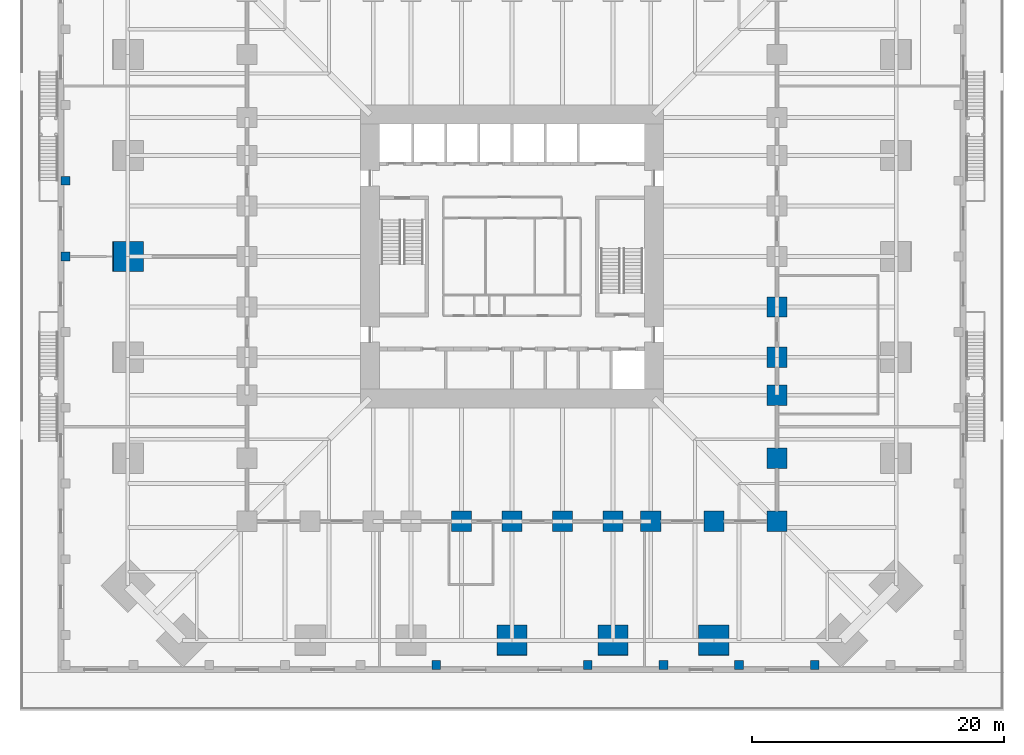
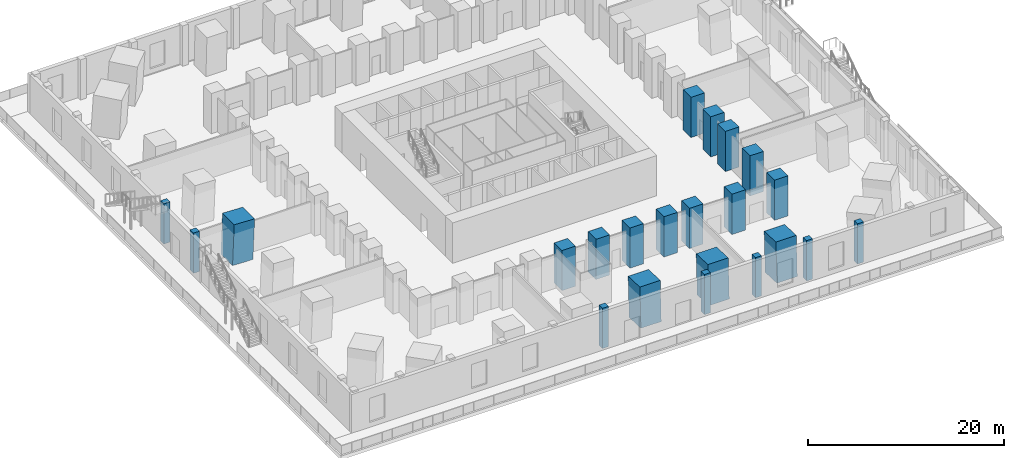
# One storey, part 3 of 20: 22 columns.
"""IFC4 building model written with IfcOpenShell, lengths in metres."""

from ifc_helpers import new_model, si_unit, direction, frame, origin, origin_2d, place, context, subcontext, project, spatial, rectangle, extrude, material, material_profile, profile_set, type_object, element, save


model = new_model("IFC4")

# Units and contexts
model_context = context("Model", 3, precision=1e-05, world=origin(), true_north=direction((0.0, 1.0)))
body_context = subcontext(model_context, "Body", "Model", "MODEL_VIEW")
ifc_project = project(units=[si_unit("LENGTHUNIT", "METRE"), si_unit("AREAUNIT", "SQUARE_METRE"), si_unit("VOLUMEUNIT", "CUBIC_METRE"), si_unit("PLANEANGLEUNIT", "RADIAN"), si_unit("MASSUNIT", "GRAM", prefix="KILO")], contexts=[model_context])

# Site, building, storey
site_placement = place(None, origin())
site = spatial("IfcSite", under=ifc_project, at=site_placement, CompositionType="ELEMENT")
building_placement = place(site_placement, origin())
building = spatial("IfcBuilding", under=site, at=building_placement, Name="Peilmerk Tower", CompositionType="ELEMENT")
storey_placement = place(building_placement, frame((0.0, 0.0, 11.0)))
storey = spatial("IfcBuildingStorey", under=building, at=storey_placement, Name="L02", CompositionType="ELEMENT", Elevation=11.0)

# Columns
ifc_material_1 = material(Name="Concrete C55/67", Category="concrete")
ifc_material_profile_1 = material_profile(ifc_material_1, rectangle(XDim=0.699951171875, YDim=0.699951171875, at=origin_2d()), Name="RC 700x700")
ifc_profile_set_1 = profile_set([ifc_material_profile_1], Name="Concrete C55/67")
column_type_1 = type_object("IfcColumnType", Name="PC1 700x700 podium column", PredefinedType="COLUMN", material=ifc_profile_set_1)
for number, where, z_axis, x_axis, name in (
    (1, (-35.39990234375, 0.0, 0.0), (0.0, 0.0, 1.0), (1.0, 0.0, 0.0), "Podium column ring A L02"),
    (2, (-35.39990234375, 6.0, 0.0), (0.0, 0.0, 1.0), (1.0, 0.0, 0.0), "Podium column ring A L02"),
    (3, (-6.0, -32.39990234375, 0.0), (0.0, 0.0, 1.0), (1.0, 0.0, 0.0), "Podium column ring A L02"),
    (4, (6.0, -32.39990234375, 0.0), (0.0, 0.0, 1.0), (1.0, 0.0, 0.0), "Podium column ring A L02"),
    (5, (12.0, -32.39990234375, 0.0), (0.0, 0.0, 1.0), (1.0, 0.0, 0.0), "Podium column ring A L02"),
    (6, (18.0, -32.39990234375, 0.0), (0.0, 0.0, 1.0), (1.0, 0.0, 0.0), "Podium column ring A L02"),
    (7, (24.0, -32.39990234375, 0.0), (0.0, 0.0, 1.0), (1.0, 0.0, 0.0), "Podium column ring A L02"),
):
    element("IfcColumn", number, at=place(storey_placement, frame(where, z_axis=z_axis, x_axis=x_axis)), inside=storey, type_object=column_type_1, Name=name, PredefinedType="COLUMN", context=body_context, shape_type="SweptSolid", body=[
        extrude(rectangle(XDim=0.699951171875, YDim=0.699951171875, at=origin_2d()), origin(), (0.0, 0.0, 1.0), 5.0),
    ])
ifc_material_2 = material(Name="Concrete C90/105", Category="concrete")
ifc_material_profile_2 = material_profile(ifc_material_2, rectangle(XDim=2.39990234375, YDim=2.39990234375, at=origin_2d()), Name="RC 2400x2400")
ifc_profile_set_2 = profile_set([ifc_material_profile_2], Name="Concrete C90/105")
column_type_2 = type_object("IfcColumnType", Name="SC1 2400x2400 encased perimeter column", PredefinedType="COLUMN", material=ifc_profile_set_2)
for number, where, z_axis, x_axis, name in (
    (8, (0.0, -30.453125, 0.0), (0.0, 0.040250558339, 0.999189617917), (-1.0, 0.0, 0.0), "Perimeter column S+0 L02"),
    (9, (8.0, -30.453125, 0.0), (0.0, 0.040250558339, 0.999189617917), (-1.0, 0.0, 0.0), "Perimeter column S+8 L02"),
    (10, (16.0, -30.453125, 0.0), (0.0, 0.040250558339, 0.999189617917), (-1.0, 0.0, 0.0), "Perimeter column S+16 L02"),
    (11, (-30.453125, 0.0, 0.0), (0.040250558339, 0.0, 0.999189617917), (0.0, 1.0, 0.0), "Perimeter column W+0 L02"),
):
    element("IfcColumn", number, at=place(storey_placement, frame(where, z_axis=z_axis, x_axis=x_axis)), inside=storey, type_object=column_type_2, Name=name, PredefinedType="COLUMN", context=body_context, shape_type="SweptSolid", body=[
        extrude(rectangle(XDim=2.39990234375, YDim=2.39990234375, at=origin_2d()), origin(), (0.0, 0.0, 1.0), 5.004150390625),
    ])
ifc_material_profile_3 = material_profile(ifc_material_2, rectangle(XDim=1.60009765625, YDim=1.60009765625, at=origin_2d()), Name="RC 1600x1600")
ifc_profile_set_3 = profile_set([ifc_material_profile_3], Name="Concrete C90/105")
column_type_3 = type_object("IfcColumnType", Name="SC2 1600x1600 encased interior column", PredefinedType="COLUMN", material=ifc_profile_set_3)
for number, where, z_axis, x_axis, name in (
    (12, (21.0, -4.0, 0.0), (0.0, 0.0, 1.0), (1.0, 0.0, 0.0), "Interior column E-4 L02"),
    (13, (21.0, -8.0, 0.0), (0.0, 0.0, 1.0), (1.0, 0.0, 0.0), "Interior column E-8 L02"),
    (14, (21.0, -11.0, 0.0), (0.0, 0.0, 1.0), (1.0, 0.0, 0.0), "Interior column E-11 L02"),
    (15, (21.0, -16.0, 0.0), (0.0, 0.0, 1.0), (1.0, 0.0, 0.0), "Interior column E-16 L02"),
    (16, (0.0, -21.0, 0.0), (0.0, 0.0, 1.0), (1.0, 0.0, 0.0), "Interior column S+0 L02"),
    (17, (-4.0, -21.0, 0.0), (0.0, 0.0, 1.0), (1.0, 0.0, 0.0), "Interior column S-4 L02"),
    (18, (4.0, -21.0, 0.0), (0.0, 0.0, 1.0), (1.0, 0.0, 0.0), "Interior column S+4 L02"),
    (19, (8.0, -21.0, 0.0), (0.0, 0.0, 1.0), (1.0, 0.0, 0.0), "Interior column S+8 L02"),
    (20, (11.0, -21.0, 0.0), (0.0, 0.0, 1.0), (1.0, 0.0, 0.0), "Interior column S+11 L02"),
    (21, (16.0, -21.0, 0.0), (0.0, 0.0, 1.0), (1.0, 0.0, 0.0), "Interior column S+16 L02"),
    (22, (21.0, -21.0, 0.0), (0.0, 0.0, 1.0), (1.0, 0.0, 0.0), "Interior column SE L02"),
):
    element("IfcColumn", number, at=place(storey_placement, frame(where, z_axis=z_axis, x_axis=x_axis)), inside=storey, type_object=column_type_3, Name=name, PredefinedType="COLUMN", context=body_context, shape_type="SweptSolid", body=[
        extrude(rectangle(XDim=1.60009765625, YDim=1.60009765625, at=origin_2d()), origin(), (0.0, 0.0, 1.0), 5.0),
    ])

save(model, "model.ifc")
